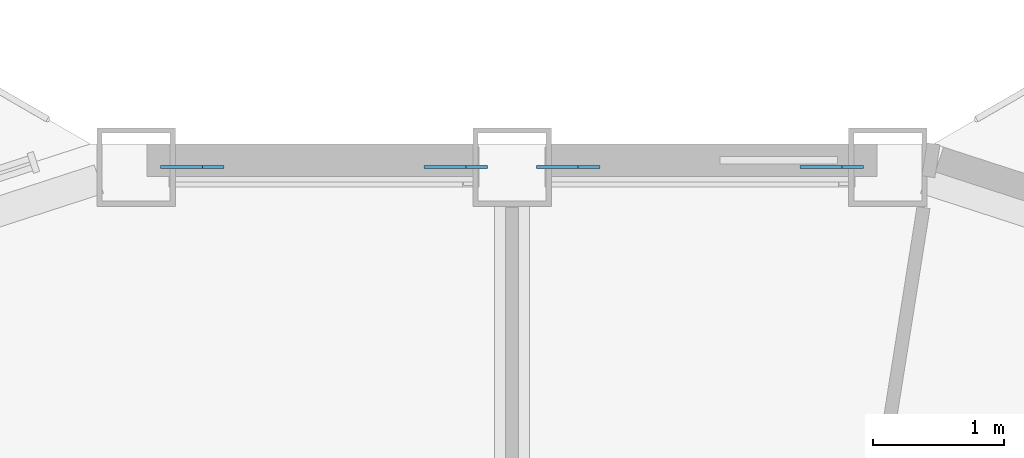
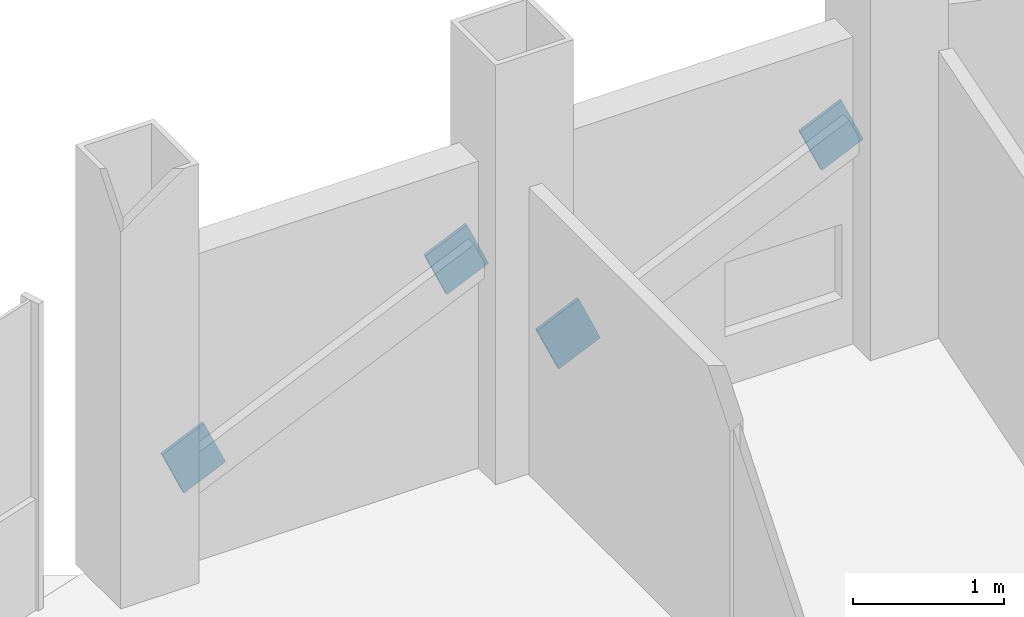
# One storey, part 21 of 26: 4 discrete accessories.
"""IFC4 building model written with IfcOpenShell, lengths in metres."""

from ifc_helpers import new_model, si_unit, direction, frame, origin, origin_2d, place, context, subcontext, project, spatial, rectangle, extrude, material, material_profile, profile_set, type_object, element, save


model = new_model("IFC4")

# Units and contexts
model_context = context("Model", 3, precision=1e-05, world=origin(), true_north=direction((0.0, 1.0)))
body_context = subcontext(model_context, "Body", "Model", "MODEL_VIEW")
ifc_project = project(units=[si_unit("LENGTHUNIT", "METRE"), si_unit("AREAUNIT", "SQUARE_METRE"), si_unit("VOLUMEUNIT", "CUBIC_METRE"), si_unit("PLANEANGLEUNIT", "RADIAN"), si_unit("MASSUNIT", "GRAM", prefix="KILO")], contexts=[model_context])

# Site, building, storey
site_placement = place(None, origin())
site = spatial("IfcSite", under=ifc_project, at=site_placement, CompositionType="ELEMENT")
building_placement = place(site_placement, origin())
building = spatial("IfcBuilding", under=site, at=building_placement, Name="Cormorant Prow Tower", CompositionType="ELEMENT")
storey_placement = place(building_placement, frame((0.0, 0.0, 325.60009765625)))
storey = spatial("IfcBuildingStorey", under=building, at=storey_placement, Name="L72", CompositionType="ELEMENT", Elevation=325.60009765625)

# Discrete accessories
ifc_material = material(Name="Structural steel ASTM A500 Gr C", Category="steel")
ifc_material_profile = material_profile(ifc_material, rectangle(XDim=0.02490234375, YDim=0.405029296875, at=origin_2d()), Name="Gusset plate 25x405")
ifc_profile_set = profile_set([ifc_material_profile], Name="Structural steel ASTM A500 Gr C")
discrete_accessory_type = type_object("IfcDiscreteAccessoryType", Name="Gusset plate 25x405", PredefinedType="BRACKET", material=ifc_profile_set)
discrete_accessory_1_placement = place(storey_placement, frame((0.588623046875, 31.676025390625, 0.86376953125), z_axis=(-0.912338666822, 0.0, -0.409436389468), x_axis=(0.0, -1.0, 0.0)))
element("IfcDiscreteAccessory", 1, at=discrete_accessory_1_placement, inside=storey, type_object=discrete_accessory_type, Name="Gusset plate GP3 L72.N00.g0", PredefinedType="BRACKET", context=body_context, shape_type="SweptSolid", body=[
    extrude(rectangle(XDim=0.02490234375, YDim=0.405029296875, at=origin_2d()), origin(), (0.0, 0.0, 1.0), 0.35009765625),
])
discrete_accessory_2_placement = place(storey_placement, frame((2.28515625, 31.676025390625, 1.6240234375), z_axis=(0.912599106234, 0.0, 0.408855562884), x_axis=(0.0, 1.0, 0.0)))
element("IfcDiscreteAccessory", 2, at=discrete_accessory_2_placement, inside=storey, type_object=discrete_accessory_type, Name="Gusset plate GP3 L72.N00.g1", PredefinedType="BRACKET", context=body_context, shape_type="SweptSolid", body=[
    extrude(rectangle(XDim=0.02490234375, YDim=0.405029296875, at=origin_2d()), origin(), (0.0, 0.0, 1.0), 0.349853515625),
])
discrete_accessory_3_placement = place(storey_placement, frame((-2.28515625, 31.676025390625, 0.86376953125), z_axis=(-0.912338666822, 0.0, -0.409436389468), x_axis=(0.0, -1.0, 0.0)))
element("IfcDiscreteAccessory", 3, at=discrete_accessory_3_placement, inside=storey, type_object=discrete_accessory_type, Name="Gusset plate GP3 L72.N01.g0", PredefinedType="BRACKET", context=body_context, shape_type="SweptSolid", body=[
    extrude(rectangle(XDim=0.02490234375, YDim=0.405029296875, at=origin_2d()), origin(), (0.0, 0.0, 1.0), 0.35009765625),
])
discrete_accessory_4_placement = place(storey_placement, frame((-0.588623046875, 31.676025390625, 1.6240234375), z_axis=(0.912599106234, 0.0, 0.408855562884), x_axis=(0.0, 1.0, 0.0)))
element("IfcDiscreteAccessory", 4, at=discrete_accessory_4_placement, inside=storey, type_object=discrete_accessory_type, Name="Gusset plate GP3 L72.N01.g1", PredefinedType="BRACKET", context=body_context, shape_type="SweptSolid", body=[
    extrude(rectangle(XDim=0.02490234375, YDim=0.405029296875, at=origin_2d()), origin(), (0.0, 0.0, 1.0), 0.349853515625),
])

save(model, "model.ifc")
